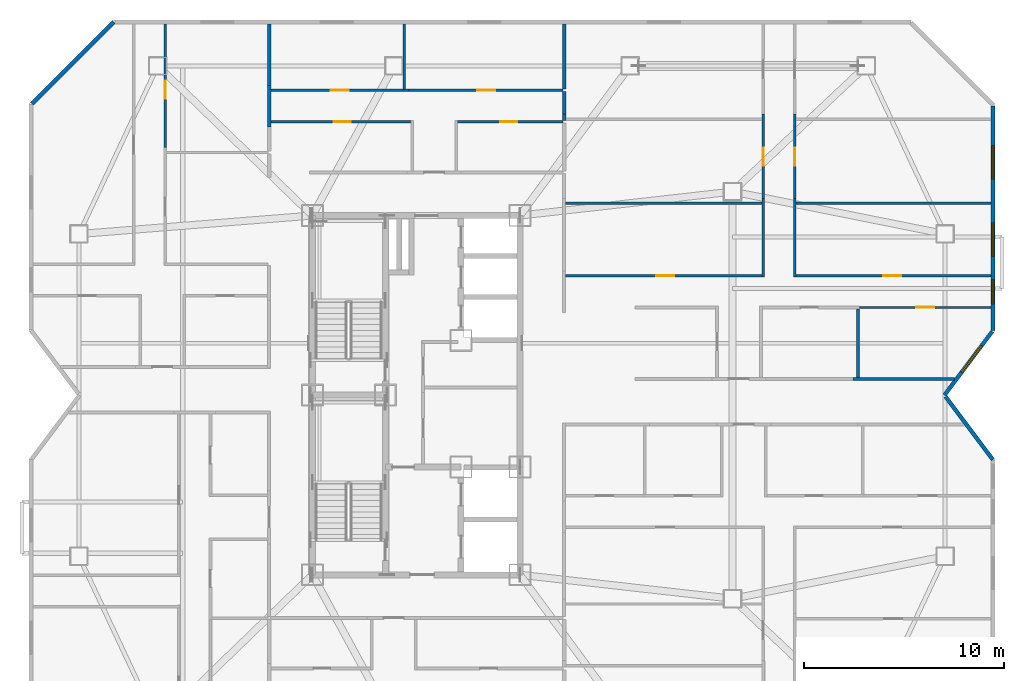
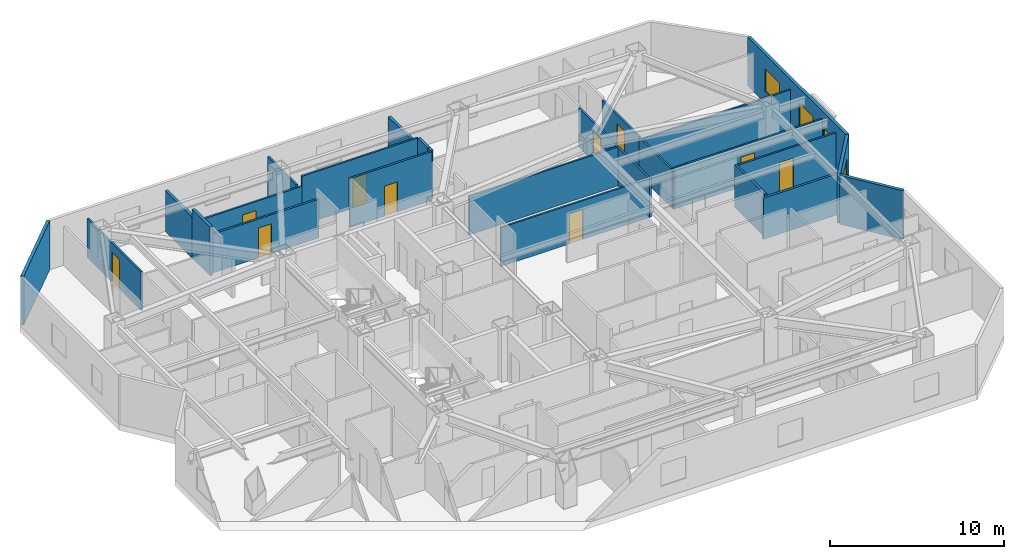
# One storey, part 9 of 11: 26 walls, 10 doors, 4 windows, 14 openings.
"""IFC4 building model written with IfcOpenShell, lengths in metres."""

from ifc_helpers import new_model, si_unit, direction, frame, frame_2d, origin, place, context, subcontext, project, spatial, rectangle, extrude, material, layer, layer_set, type_object, element, fill, save


model = new_model("IFC4")

# Units and contexts
model_context = context("Model", 3, precision=1e-05, world=origin(), true_north=direction((0.0, 1.0)))
body_context = subcontext(model_context, "Body", "Model", "MODEL_VIEW")
ifc_project = project(units=[si_unit("LENGTHUNIT", "METRE"), si_unit("AREAUNIT", "SQUARE_METRE"), si_unit("VOLUMEUNIT", "CUBIC_METRE"), si_unit("PLANEANGLEUNIT", "RADIAN"), si_unit("MASSUNIT", "GRAM", prefix="KILO")], contexts=[model_context])

# Site, building, storey
site_placement = place(None, origin())
site = spatial("IfcSite", under=ifc_project, at=site_placement, CompositionType="ELEMENT")
building_placement = place(site_placement, origin())
building = spatial("IfcBuilding", under=site, at=building_placement, Name="Khamvora Tower", CompositionType="ELEMENT")
storey_placement = place(building_placement, frame((0.0, 0.0, 155.89990234375)))
storey = spatial("IfcBuildingStorey", under=building, at=storey_placement, Name="L39", CompositionType="ELEMENT", Elevation=155.89990234375)

# Walls
ifc_material_1 = material(Name="Fire-Rated Drywall and Steel Stud", Category="steel")
ifc_layer_1 = layer(ifc_material_1, 0.14990234375)
ifc_layer_set_1 = layer_set([ifc_layer_1], Name="Fire-Rated Drywall and Steel Stud")
wall_type_1 = type_object("IfcWallType", Name="WAL-CORR-150", PredefinedType="STANDARD", material=ifc_layer_set_1)
wall_1_placement = place(storey_placement, frame((56.090087890625, 28.81494140625, 0.0), z_axis=(0.0, 0.0, 1.0), x_axis=(1.0, 0.0, 0.0)))
element("IfcWall", 1, at=wall_1_placement, inside=storey, type_object=wall_type_1, Name="L39 interior partition wall 031", PredefinedType="STANDARD", context=body_context, shape_type="SweptSolid", body=[
    extrude(rectangle(XDim=5.091796875, YDim=0.14990234375, at=frame_2d((2.5458984375, 0.0))), origin(), (0.0, 0.0, 1.0), 2.8759765625),
])
ifc_material_2 = material(Name="Acoustic Double-Stud Fire Wall", Category="gypsum")
ifc_layer_2 = layer(ifc_material_2, 0.179931640625)
ifc_layer_set_2 = layer_set([ifc_layer_2], Name="Acoustic Double-Stud Fire Wall")
wall_type_2 = type_object("IfcWallType", Name="WAL-CORR-180", PredefinedType="STANDARD", material=ifc_layer_set_2)
wall_2_placement = place(storey_placement, frame((26.8349609375, 43.52392578125, 0.0), z_axis=(0.0, 0.0, 1.0), x_axis=(0.0, -1.0, 0.0)))
element("IfcWall", 2, at=wall_2_placement, inside=storey, type_object=wall_type_2, Name="L39 interior partition wall 062", PredefinedType="STANDARD", context=body_context, shape_type="SweptSolid", body=[
    extrude(rectangle(XDim=2.077880859375, YDim=0.179931640625, at=frame_2d((1.0390625, 0.0))), origin(), (0.0, 0.0, 1.0), 3.43017578125),
])
wall_3_placement = place(storey_placement, frame((26.8349609375, 46.60791015625, 0.0), z_axis=(0.0, 0.0, 1.0), x_axis=(0.0, -1.0, 0.0)))
element("IfcWall", 3, at=wall_3_placement, inside=storey, type_object=wall_type_2, Name="L39 interior partition wall 064", PredefinedType="STANDARD", context=body_context, shape_type="SweptSolid", body=[
    extrude(rectangle(XDim=3.083984375, YDim=0.179931640625, at=frame_2d((1.5419921875, 0.0))), origin(), (0.0, 0.0, 1.0), 2.8759765625),
])
wall_4_placement = place(storey_placement, frame((41.614990234375, 42.077880859375, 0.0), z_axis=(0.0, 0.0, 1.0), x_axis=(0.0, -1.0, 0.0)))
element("IfcWall", 4, at=wall_4_placement, inside=storey, type_object=wall_type_2, Name="L39 interior partition wall 082", PredefinedType="STANDARD", context=body_context, shape_type="SweptSolid", body=[
    extrude(rectangle(XDim=0.31787109375, YDim=0.179931640625, at=frame_2d((0.158935546875, 0.0))), origin(), (0.0, 0.0, 1.0), 3.43017578125),
])
wall_5_placement = place(storey_placement, frame((41.614990234375, 43.2099609375, 0.0), z_axis=(0.0, 0.0, 1.0), x_axis=(0.0, -1.0, 0.0)))
element("IfcWall", 5, at=wall_5_placement, inside=storey, type_object=wall_type_2, Name="L39 interior partition wall 083", PredefinedType="STANDARD", context=body_context, shape_type="SweptSolid", body=[
    extrude(rectangle(XDim=1.132080078125, YDim=0.179931640625, at=frame_2d((0.56591796875, 0.0))), origin(), (0.0, 0.0, 1.0), 3.43017578125),
])
wall_6_placement = place(storey_placement, frame((41.614990234375, 46.60791015625, 0.0), z_axis=(0.0, 0.0, 1.0), x_axis=(0.0, -1.0, 0.0)))
element("IfcWall", 6, at=wall_6_placement, inside=storey, type_object=wall_type_2, Name="L39 interior partition wall 086", PredefinedType="STANDARD", context=body_context, shape_type="SweptSolid", body=[
    extrude(rectangle(XDim=3.267822265625, YDim=0.179931640625, at=frame_2d((1.6337890625, 0.0))), origin(), (0.0, 0.0, 1.0), 2.8759765625),
])
ifc_material_3 = material(Name="Precast concrete C40/50", Category="concrete")
ifc_layer_3 = layer(ifc_material_3, 0.199951171875)
ifc_layer_set_3 = layer_set([ifc_layer_3], Name="Precast concrete C40/50")
wall_type_3 = type_object("IfcWallType", Name="WAL-EXT-200", PredefinedType="STANDARD", material=ifc_layer_set_3)
wall_7_placement = place(storey_placement, frame((14.945068359375, 42.60400390625, 0.0), z_axis=(0.0, 0.0, 1.0), x_axis=(0.707106781187, 0.707106781187, 0.0)))
element("IfcWall", 7, at=wall_7_placement, inside=storey, type_object=wall_type_3, Name="L39 exterior facade wall 06.1", PredefinedType="STANDARD", context=body_context, shape_type="SweptSolid", body=[
    extrude(rectangle(XDim=5.79248046875, YDim=0.199951171875, at=frame_2d((2.896240234375, 0.0))), origin(), (0.0, 0.0, 1.0), 3.43017578125),
])

# Wall, openings, windows
wall_8_placement = place(storey_placement, frame((63.10009765625, 42.49609375, 0.0), z_axis=(0.0, 0.0, 1.0), x_axis=(0.0, -1.0, 0.0)))
wall_8 = element("IfcWall", 8, at=wall_8_placement, inside=storey, type_object=wall_type_3, Name="L39 exterior facade wall 09.1", PredefinedType="STANDARD", context=body_context, shape_type="SweptSolid", body=[
    extrude(rectangle(XDim=11.26318359375, YDim=0.199951171875, at=frame_2d((5.631591796875, 0.0))), origin(), (0.0, 0.0, 1.0), 3.43017578125),
])
opening_1_placement = place(wall_8_placement, frame((8.7109375, 0.0, 0.800048828125)))
opening_1 = element("IfcOpeningElement", 9, at=opening_1_placement, cuts=wall_8, Name="Opening WN-03", PredefinedType="OPENING", context=body_context, shape_type="SweptSolid", body=[
    extrude(rectangle(XDim=1.199951171875, YDim=1.5, at=frame_2d((0.60009765625, 0.75))), frame((0.0, 0.10986328125, 0.0), z_axis=(0.0, -1.0, 0.0), x_axis=(1.0, 0.0, 0.0)), (0.0, 0.0, 1.0), 0.219970703125),
])
opening_2_placement = place(wall_8_placement, frame((5.876953125, 0.0, 0.85009765625)))
opening_2 = element("IfcOpeningElement", 10, at=opening_2_placement, cuts=wall_8, Name="Opening WN-06", PredefinedType="OPENING", context=body_context, shape_type="SweptSolid", body=[
    extrude(rectangle(XDim=1.64990234375, YDim=1.550048828125, at=frame_2d((0.824951171875, 0.77490234375))), frame((0.0, 0.10986328125, 0.0), z_axis=(0.0, -1.0, 0.0), x_axis=(1.0, 0.0, 0.0)), (0.0, 0.0, 1.0), 0.219970703125),
])
opening_3_placement = place(wall_8_placement, frame((2.009033203125, 0.0, 0.85009765625)))
opening_3 = element("IfcOpeningElement", 11, at=opening_3_placement, cuts=wall_8, Name="Opening WN-06", PredefinedType="OPENING", context=body_context, shape_type="SweptSolid", body=[
    extrude(rectangle(XDim=1.64990234375, YDim=1.550048828125, at=frame_2d((0.824951171875, 0.77490234375))), frame((0.0, 0.10986328125, 0.0), z_axis=(0.0, -1.0, 0.0), x_axis=(1.0, 0.0, 0.0)), (0.0, 0.0, 1.0), 0.219970703125),
])
ifc_material_4 = material(Name="Low-E Laminated Double Glazing", Category="glass")
window_type_1 = type_object("IfcWindowType", Name="WIN-VIS-1200x1500", PartitioningType="SINGLE_PANEL", PredefinedType="WINDOW", material=ifc_material_4)
window_1_placement = place(opening_1_placement, origin())
window_1 = element("IfcWindow", 12, at=window_1_placement, inside=storey, type_object=window_type_1, Name="L39 vision window 09.1.01", OverallHeight=1.5, OverallWidth=1.199951171875, PartitioningType="SINGLE_PANEL", PredefinedType="WINDOW", context=body_context, shape_type="SweptSolid", body=[
    extrude(rectangle(XDim=1.199951171875, YDim=1.5, at=frame_2d((0.60009765625, 0.75))), frame((0.0, 0.030029296875, 0.0), z_axis=(0.0, -1.0, 0.0), x_axis=(1.0, 0.0, 0.0)), (0.0, 0.0, 1.0), 0.06005859375),
])
fill(opening_1, window_1)
window_type_2 = type_object("IfcWindowType", Name="WIN-VIS-1650x1550", PartitioningType="SINGLE_PANEL", PredefinedType="WINDOW", material=ifc_material_4)
window_2_placement = place(opening_2_placement, origin())
window_2 = element("IfcWindow", 13, at=window_2_placement, inside=storey, type_object=window_type_2, Name="L39 vision window 09.1.02", OverallHeight=1.550048828125, OverallWidth=1.64990234375, PartitioningType="SINGLE_PANEL", PredefinedType="WINDOW", context=body_context, shape_type="SweptSolid", body=[
    extrude(rectangle(XDim=1.64990234375, YDim=1.550048828125, at=frame_2d((0.824951171875, 0.77490234375))), frame((0.0, 0.030029296875, 0.0), z_axis=(0.0, -1.0, 0.0), x_axis=(1.0, 0.0, 0.0)), (0.0, 0.0, 1.0), 0.06005859375),
])
fill(opening_2, window_2)
window_3_placement = place(opening_3_placement, origin())
window_3 = element("IfcWindow", 14, at=window_3_placement, inside=storey, type_object=window_type_2, Name="L39 vision window 09.1.03", OverallHeight=1.550048828125, OverallWidth=1.64990234375, PartitioningType="SINGLE_PANEL", PredefinedType="WINDOW", context=body_context, shape_type="SweptSolid", body=[
    extrude(rectangle(XDim=1.64990234375, YDim=1.550048828125, at=frame_2d((0.824951171875, 0.77490234375))), frame((0.0, 0.030029296875, 0.0), z_axis=(0.0, -1.0, 0.0), x_axis=(1.0, 0.0, 0.0)), (0.0, 0.0, 1.0), 0.06005859375),
])
fill(opening_3, window_3)

# Wall, opening, window
wall_9_placement = place(storey_placement, frame((63.069091796875, 31.19091796875, 0.0), z_axis=(0.0, 0.0, 1.0), x_axis=(-0.600137081448, -0.799897170561, 0.0)))
wall_9 = element("IfcWall", 15, at=wall_9_placement, inside=storey, type_object=wall_type_3, Name="L39 exterior facade wall 10.1", PredefinedType="STANDARD", context=body_context, shape_type="SweptSolid", body=[
    extrude(rectangle(XDim=3.9892578125, YDim=0.199951171875, at=frame_2d((1.99462890625, 0.0))), origin(), (0.0, 0.0, 1.0), 3.43017578125),
])
opening_4_placement = place(wall_9_placement, frame((0.90087890625, 0.0, 0.85009765625)))
opening_4 = element("IfcOpeningElement", 16, at=opening_4_placement, cuts=wall_9, Name="Opening WN-06", PredefinedType="OPENING", context=body_context, shape_type="SweptSolid", body=[
    extrude(rectangle(XDim=1.64990234375, YDim=1.550048828125, at=frame_2d((0.824951171875, 0.77490234375))), frame((0.0, 0.10986328125, 0.0), z_axis=(0.0, -1.0, 0.0), x_axis=(1.0, 0.0, 0.0)), (0.0, 0.0, 1.0), 0.219970703125),
])
window_4_placement = place(opening_4_placement, origin())
window_4 = element("IfcWindow", 17, at=window_4_placement, inside=storey, type_object=window_type_2, Name="L39 vision window 10.1.01", OverallHeight=1.550048828125, OverallWidth=1.64990234375, PartitioningType="SINGLE_PANEL", PredefinedType="WINDOW", context=body_context, shape_type="SweptSolid", body=[
    extrude(rectangle(XDim=1.64990234375, YDim=1.550048828125, at=frame_2d((0.824951171875, 0.77490234375))), frame((0.0, 0.030029296875, 0.0), z_axis=(0.0, -1.0, 0.0), x_axis=(1.0, 0.0, 0.0)), (0.0, 0.0, 1.0), 0.06005859375),
])
fill(opening_4, window_4)

# Wall
wall_10_placement = place(storey_placement, frame((60.72705078125, 27.930908203125, 0.0), z_axis=(0.0, 0.0, 1.0), x_axis=(0.600029630681, -0.799977776132, 0.0)))
element("IfcWall", 18, at=wall_10_placement, inside=storey, type_object=wall_type_3, Name="L39 exterior facade wall 11.1", PredefinedType="STANDARD", context=body_context, shape_type="SweptSolid", body=[
    extrude(rectangle(XDim=3.954833984375, YDim=0.199951171875, at=frame_2d((1.9775390625, 0.0))), origin(), (0.0, 0.0, 1.0), 3.43017578125),
])

# Wall, opening, door
ifc_material_5 = material(Name="Gypsum Plasterboard Partition", Category="gypsum")
ifc_layer_4 = layer(ifc_material_5, 0.1201171875)
ifc_layer_set_4 = layer_set([ifc_layer_4], Name="Gypsum Plasterboard Partition")
wall_type_4 = type_object("IfcWallType", Name="WAL-PART-120", PredefinedType="PARTITIONING", material=ifc_layer_set_4)
wall_11_placement = place(storey_placement, frame((21.625, 46.60791015625, 0.0), z_axis=(0.0, 0.0, 1.0), x_axis=(0.0, -1.0, 0.0)))
wall_11 = element("IfcWall", 19, at=wall_11_placement, inside=storey, type_object=wall_type_4, Name="L39 interior partition wall 059", PredefinedType="PARTITIONING", context=body_context, shape_type="SweptSolid", body=[
    extrude(rectangle(XDim=6.198974609375, YDim=0.1201171875, at=frame_2d((3.099609375, 0.0))), origin(), (0.0, 0.0, 1.0), 2.72509765625),
])
opening_5_placement = place(wall_11_placement, frame((2.847900390625, 0.0, 0.0)))
opening_5 = element("IfcOpeningElement", 20, at=opening_5_placement, cuts=wall_11, Name="Opening D-RM1", PredefinedType="OPENING", context=body_context, shape_type="SweptSolid", body=[
    extrude(rectangle(XDim=0.89990234375, YDim=2.10009765625, at=frame_2d((0.449951171875, 1.050048828125))), frame((0.0, 0.070068359375, 0.0), z_axis=(0.0, -1.0, 0.0), x_axis=(1.0, 0.0, 0.0)), (0.0, 0.0, 1.0), 0.14013671875),
])
ifc_material_6 = material(Name="Powder-Coated Steel and Hardwood Leaf", Category="steel")
door_type_1 = type_object("IfcDoorType", Name="DOR-ROOM-900", OperationType="NOTDEFINED", PredefinedType="DOOR", material=ifc_material_6)
door_1_placement = place(opening_5_placement, origin())
door_1 = element("IfcDoor", 21, at=door_1_placement, inside=storey, type_object=door_type_1, Name="L39 interior door 39WBH-39WBR3", OperationType="SINGLE_SWING_RIGHT", OverallHeight=2.10009765625, OverallWidth=0.89990234375, PredefinedType="DOOR", context=body_context, shape_type="SweptSolid", body=[
    extrude(rectangle(XDim=0.89990234375, YDim=2.10009765625, at=frame_2d((0.449951171875, 1.050048828125))), frame((0.0, 0.02490234375, 0.0), z_axis=(0.0, -1.0, 0.0), x_axis=(1.0, 0.0, 0.0)), (0.0, 0.0, 1.0), 0.050048828125),
])
fill(opening_5, door_1)

wall_12_placement = place(storey_placement, frame((26.9169921875, 43.27490234375, 0.0), z_axis=(0.0, 0.0, 1.0), x_axis=(1.0, 0.0, 0.0)))
wall_12 = element("IfcWall", 22, at=wall_12_placement, inside=storey, type_object=wall_type_4, Name="L39 interior partition wall 080", PredefinedType="PARTITIONING", context=body_context, shape_type="SweptSolid", body=[
    extrude(rectangle(XDim=6.930908203125, YDim=0.1201171875, at=frame_2d((3.46533203125, 0.0))), origin(), (0.0, 0.0, 1.0), 2.72509765625),
])
opening_6_placement = place(wall_12_placement, frame((2.993896484375, 0.0, 0.0)))
opening_6 = element("IfcOpeningElement", 23, at=opening_6_placement, cuts=wall_12, Name="Opening D-RM1", PredefinedType="OPENING", context=body_context, shape_type="SweptSolid", body=[
    extrude(rectangle(XDim=0.89990234375, YDim=2.10009765625, at=frame_2d((0.449951171875, 1.050048828125))), frame((0.0, 0.070068359375, 0.0), z_axis=(0.0, -1.0, 0.0), x_axis=(1.0, 0.0, 0.0)), (0.0, 0.0, 1.0), 0.14013671875),
])
door_2_placement = place(opening_6_placement, origin())
door_2 = element("IfcDoor", 24, at=door_2_placement, inside=storey, type_object=door_type_1, Name="L39 interior door 39NAH-39NAL", OperationType="SINGLE_SWING_RIGHT", OverallHeight=2.10009765625, OverallWidth=0.89990234375, PredefinedType="DOOR", context=body_context, shape_type="SweptSolid", body=[
    extrude(rectangle(XDim=0.89990234375, YDim=2.10009765625, at=frame_2d((0.449951171875, 1.050048828125))), frame((0.0, 0.02490234375, 0.0), z_axis=(0.0, -1.0, 0.0), x_axis=(1.0, 0.0, 0.0)), (0.0, 0.0, 1.0), 0.050048828125),
])
fill(opening_6, door_2)

wall_13_placement = place(storey_placement, frame((33.847900390625, 43.27490234375, 0.0), z_axis=(0.0, 0.0, 1.0), x_axis=(1.0, 0.0, 0.0)))
wall_13 = element("IfcWall", 25, at=wall_13_placement, inside=storey, type_object=wall_type_4, Name="L39 interior partition wall 081", PredefinedType="PARTITIONING", context=body_context, shape_type="SweptSolid", body=[
    extrude(rectangle(XDim=7.7021484375, YDim=0.1201171875, at=frame_2d((3.85107421875, 0.0))), origin(), (0.0, 0.0, 1.0), 3.43017578125),
])
opening_7_placement = place(wall_13_placement, frame((3.40087890625, 0.0, 0.0)))
opening_7 = element("IfcOpeningElement", 26, at=opening_7_placement, cuts=wall_13, Name="Opening D-RM1", PredefinedType="OPENING", context=body_context, shape_type="SweptSolid", body=[
    extrude(rectangle(XDim=0.89990234375, YDim=2.10009765625, at=frame_2d((0.449951171875, 1.050048828125))), frame((0.0, 0.070068359375, 0.0), z_axis=(0.0, -1.0, 0.0), x_axis=(1.0, 0.0, 0.0)), (0.0, 0.0, 1.0), 0.14013671875),
])
door_3_placement = place(opening_7_placement, origin())
door_3 = element("IfcDoor", 27, at=door_3_placement, inside=storey, type_object=door_type_1, Name="L39 interior door 39NAH-39NAR2", OperationType="SINGLE_SWING_LEFT", OverallHeight=2.10009765625, OverallWidth=0.89990234375, PredefinedType="DOOR", context=body_context, shape_type="SweptSolid", body=[
    extrude(rectangle(XDim=0.89990234375, YDim=2.10009765625, at=frame_2d((0.449951171875, 1.050048828125))), frame((0.0, 0.02490234375, 0.0), z_axis=(0.0, -1.0, 0.0), x_axis=(1.0, 0.0, 0.0)), (0.0, 0.0, 1.0), 0.050048828125),
])
fill(opening_7, door_3)

# Wall
wall_14_placement = place(storey_placement, frame((33.59912109375, 46.60791015625, 0.0), z_axis=(0.0, 0.0, 1.0), x_axis=(0.0, -1.0, 0.0)))
element("IfcWall", 28, at=wall_14_placement, inside=storey, type_object=wall_type_4, Name="L39 interior partition wall 085", PredefinedType="PARTITIONING", context=body_context, shape_type="SweptSolid", body=[
    extrude(rectangle(XDim=3.27880859375, YDim=0.1201171875, at=frame_2d((1.639404296875, 0.0))), origin(), (0.0, 0.0, 1.0), 2.8759765625),
])

# Wall, opening, door
wall_15_placement = place(storey_placement, frame((56.404052734375, 32.39501953125, 0.0), z_axis=(0.0, 0.0, 1.0), x_axis=(1.0, 0.0, 0.0)))
wall_15 = element("IfcWall", 29, at=wall_15_placement, inside=storey, type_object=wall_type_4, Name="L39 interior partition wall 105", PredefinedType="PARTITIONING", context=body_context, shape_type="SweptSolid", body=[
    extrude(rectangle(XDim=6.60400390625, YDim=0.1201171875, at=frame_2d((3.302001953125, 0.0))), origin(), (0.0, 0.0, 1.0), 2.8759765625),
])
opening_8_placement = place(wall_15_placement, frame((2.85205078125, 0.0, 0.0)))
opening_8 = element("IfcOpeningElement", 30, at=opening_8_placement, cuts=wall_15, Name="Opening D-RM1", PredefinedType="OPENING", context=body_context, shape_type="SweptSolid", body=[
    extrude(rectangle(XDim=0.89990234375, YDim=2.10009765625, at=frame_2d((0.449951171875, 1.050048828125))), frame((0.0, 0.070068359375, 0.0), z_axis=(0.0, -1.0, 0.0), x_axis=(1.0, 0.0, 0.0)), (0.0, 0.0, 1.0), 0.14013671875),
])
door_4_placement = place(opening_8_placement, origin())
door_4 = element("IfcDoor", 31, at=door_4_placement, inside=storey, type_object=door_type_1, Name="L39 interior door 39EBW2-39EBH", OperationType="SINGLE_SWING_RIGHT", OverallHeight=2.10009765625, OverallWidth=0.89990234375, PredefinedType="DOOR", context=body_context, shape_type="SweptSolid", body=[
    extrude(rectangle(XDim=0.89990234375, YDim=2.10009765625, at=frame_2d((0.449951171875, 1.050048828125))), frame((0.0, 0.02490234375, 0.0), z_axis=(0.0, -1.0, 0.0), x_axis=(1.0, 0.0, 0.0)), (0.0, 0.0, 1.0), 0.050048828125),
])
fill(opening_8, door_4)

wall_16_placement = place(storey_placement, frame((41.681884765625, 33.97509765625, 0.0), z_axis=(0.0, 0.0, 1.0), x_axis=(1.0, 0.0, 0.0)))
wall_16 = element("IfcWall", 32, at=wall_16_placement, inside=storey, type_object=wall_type_4, Name="L39 interior partition wall 111", PredefinedType="PARTITIONING", context=body_context, shape_type="SweptSolid", body=[
    extrude(rectangle(XDim=9.983154296875, YDim=0.1201171875, at=frame_2d((4.99169921875, 0.0))), origin(), (0.0, 0.0, 1.0), 2.72509765625),
])
opening_9_placement = place(wall_16_placement, frame((4.5419921875, 0.0, 0.0)))
opening_9 = element("IfcOpeningElement", 33, at=opening_9_placement, cuts=wall_16, Name="Opening D-RM1", PredefinedType="OPENING", context=body_context, shape_type="SweptSolid", body=[
    extrude(rectangle(XDim=0.89990234375, YDim=2.10009765625, at=frame_2d((0.449951171875, 1.050048828125))), frame((0.0, 0.070068359375, 0.0), z_axis=(0.0, -1.0, 0.0), x_axis=(1.0, 0.0, 0.0)), (0.0, 0.0, 1.0), 0.14013671875),
])
door_5_placement = place(opening_9_placement, origin())
door_5 = element("IfcDoor", 34, at=door_5_placement, inside=storey, type_object=door_type_1, Name="L39 interior door 39EBH-39EBR1", OperationType="SINGLE_SWING_LEFT", OverallHeight=2.10009765625, OverallWidth=0.89990234375, PredefinedType="DOOR", context=body_context, shape_type="SweptSolid", body=[
    extrude(rectangle(XDim=0.89990234375, YDim=2.10009765625, at=frame_2d((0.449951171875, 1.050048828125))), frame((0.0, 0.02490234375, 0.0), z_axis=(0.0, -1.0, 0.0), x_axis=(1.0, 0.0, 0.0)), (0.0, 0.0, 1.0), 0.050048828125),
])
fill(opening_9, door_5)

# Wall
wall_17_placement = place(storey_placement, frame((51.60009765625, 33.909912109375, 0.0), z_axis=(0.0, 0.0, 1.0), x_axis=(0.0, 1.0, 0.0)))
element("IfcWall", 35, at=wall_17_placement, inside=storey, type_object=wall_type_4, Name="L39 interior partition wall 112", PredefinedType="PARTITIONING", context=body_context, shape_type="SweptSolid", body=[
    extrude(rectangle(XDim=3.9521484375, YDim=0.1201171875, at=frame_2d((1.97607421875, 0.0))), origin(), (0.0, 0.0, 1.0), 2.68701171875),
])

# Wall, opening, door
wall_18_placement = place(storey_placement, frame((51.60009765625, 37.862060546875, 0.0), z_axis=(0.0, 0.0, 1.0), x_axis=(0.0, 1.0, 0.0)))
wall_18 = element("IfcWall", 36, at=wall_18_placement, inside=storey, type_object=wall_type_4, Name="L39 interior partition wall 113", PredefinedType="PARTITIONING", context=body_context, shape_type="SweptSolid", body=[
    extrude(rectangle(XDim=4.2158203125, YDim=0.1201171875, at=frame_2d((2.10791015625, 0.0))), origin(), (0.0, 0.0, 1.0), 2.72509765625),
])
opening_10_placement = place(wall_18_placement, frame((1.636962890625, 0.0, 0.0)))
opening_10 = element("IfcOpeningElement", 37, at=opening_10_placement, cuts=wall_18, Name="Opening D-RM1", PredefinedType="OPENING", context=body_context, shape_type="SweptSolid", body=[
    extrude(rectangle(XDim=0.89990234375, YDim=2.10009765625, at=frame_2d((0.449951171875, 1.050048828125))), frame((0.0, 0.070068359375, 0.0), z_axis=(0.0, -1.0, 0.0), x_axis=(1.0, 0.0, 0.0)), (0.0, 0.0, 1.0), 0.14013671875),
])
door_6_placement = place(opening_10_placement, origin())
door_6 = element("IfcDoor", 38, at=door_6_placement, inside=storey, type_object=door_type_1, Name="L39 interior door 39EBH-39EBR2", OperationType="SINGLE_SWING_RIGHT", OverallHeight=2.10009765625, OverallWidth=0.89990234375, PredefinedType="DOOR", context=body_context, shape_type="SweptSolid", body=[
    extrude(rectangle(XDim=0.89990234375, YDim=2.10009765625, at=frame_2d((0.449951171875, 1.050048828125))), frame((0.0, 0.02490234375, 0.0), z_axis=(0.0, -1.0, 0.0), x_axis=(1.0, 0.0, 0.0)), (0.0, 0.0, 1.0), 0.050048828125),
])
fill(opening_10, door_6)

# Wall
wall_19_placement = place(storey_placement, frame((53.169921875, 37.862060546875, 0.0), z_axis=(0.0, 0.0, 1.0), x_axis=(0.0, -1.0, 0.0)))
element("IfcWall", 39, at=wall_19_placement, inside=storey, type_object=wall_type_4, Name="L39 interior partition wall 115", PredefinedType="PARTITIONING", context=body_context, shape_type="SweptSolid", body=[
    extrude(rectangle(XDim=3.9521484375, YDim=0.1201171875, at=frame_2d((1.97607421875, 0.0))), origin(), (0.0, 0.0, 1.0), 2.68701171875),
])

# Wall, opening, door
wall_20_placement = place(storey_placement, frame((53.10498046875, 33.97509765625, 0.0), z_axis=(0.0, 0.0, 1.0), x_axis=(1.0, 0.0, 0.0)))
wall_20 = element("IfcWall", 40, at=wall_20_placement, inside=storey, type_object=wall_type_4, Name="L39 interior partition wall 116", PredefinedType="PARTITIONING", context=body_context, shape_type="SweptSolid", body=[
    extrude(rectangle(XDim=9.903076171875, YDim=0.1201171875, at=frame_2d((4.95166015625, 0.0))), origin(), (0.0, 0.0, 1.0), 2.8759765625),
])
opening_11_placement = place(wall_20_placement, frame((4.501953125, 0.0, 0.0)))
opening_11 = element("IfcOpeningElement", 41, at=opening_11_placement, cuts=wall_20, Name="Opening D-RM1", PredefinedType="OPENING", context=body_context, shape_type="SweptSolid", body=[
    extrude(rectangle(XDim=0.89990234375, YDim=2.10009765625, at=frame_2d((0.449951171875, 1.050048828125))), frame((0.0, 0.070068359375, 0.0), z_axis=(0.0, -1.0, 0.0), x_axis=(1.0, 0.0, 0.0)), (0.0, 0.0, 1.0), 0.14013671875),
])
door_7_placement = place(opening_11_placement, origin())
door_7 = element("IfcDoor", 42, at=door_7_placement, inside=storey, type_object=door_type_1, Name="L39 interior door 39EBH-39EBR4", OperationType="SINGLE_SWING_RIGHT", OverallHeight=2.10009765625, OverallWidth=0.89990234375, PredefinedType="DOOR", context=body_context, shape_type="SweptSolid", body=[
    extrude(rectangle(XDim=0.89990234375, YDim=2.10009765625, at=frame_2d((0.449951171875, 1.050048828125))), frame((0.0, 0.02490234375, 0.0), z_axis=(0.0, -1.0, 0.0), x_axis=(1.0, 0.0, 0.0)), (0.0, 0.0, 1.0), 0.050048828125),
])
fill(opening_11, door_7)

wall_21_placement = place(storey_placement, frame((53.169921875, 42.077880859375, 0.0), z_axis=(0.0, 0.0, 1.0), x_axis=(0.0, -1.0, 0.0)))
wall_21 = element("IfcWall", 43, at=wall_21_placement, inside=storey, type_object=wall_type_4, Name="L39 interior partition wall 117", PredefinedType="PARTITIONING", context=body_context, shape_type="SweptSolid", body=[
    extrude(rectangle(XDim=4.2158203125, YDim=0.1201171875, at=frame_2d((2.10791015625, 0.0))), origin(), (0.0, 0.0, 1.0), 2.72509765625),
])
opening_12_placement = place(wall_21_placement, frame((1.678955078125, 0.0, 0.0)))
opening_12 = element("IfcOpeningElement", 44, at=opening_12_placement, cuts=wall_21, Name="Opening D-RM1", PredefinedType="OPENING", context=body_context, shape_type="SweptSolid", body=[
    extrude(rectangle(XDim=0.89990234375, YDim=2.10009765625, at=frame_2d((0.449951171875, 1.050048828125))), frame((0.0, 0.070068359375, 0.0), z_axis=(0.0, -1.0, 0.0), x_axis=(1.0, 0.0, 0.0)), (0.0, 0.0, 1.0), 0.14013671875),
])
door_8_placement = place(opening_12_placement, origin())
door_8 = element("IfcDoor", 45, at=door_8_placement, inside=storey, type_object=door_type_1, Name="L39 interior door 39EBH-39EBR5", OperationType="SINGLE_SWING_LEFT", OverallHeight=2.10009765625, OverallWidth=0.89990234375, PredefinedType="DOOR", context=body_context, shape_type="SweptSolid", body=[
    extrude(rectangle(XDim=0.89990234375, YDim=2.10009765625, at=frame_2d((0.449951171875, 1.050048828125))), frame((0.0, 0.02490234375, 0.0), z_axis=(0.0, -1.0, 0.0), x_axis=(1.0, 0.0, 0.0)), (0.0, 0.0, 1.0), 0.050048828125),
])
fill(opening_12, door_8)

# Walls
wall_22_placement = place(storey_placement, frame((41.681884765625, 37.612060546875, 0.0), z_axis=(0.0, 0.0, 1.0), x_axis=(1.0, 0.0, 0.0)))
element("IfcWall", 46, at=wall_22_placement, inside=storey, type_object=wall_type_4, Name="L39 interior partition wall 119", PredefinedType="PARTITIONING", context=body_context, shape_type="SweptSolid", body=[
    extrude(rectangle(XDim=9.864013671875, YDim=0.1201171875, at=frame_2d((4.93212890625, 0.0))), origin(), (0.0, 0.0, 1.0), 2.72509765625),
])
wall_23_placement = place(storey_placement, frame((53.22412109375, 37.612060546875, 0.0), z_axis=(0.0, 0.0, 1.0), x_axis=(1.0, 0.0, 0.0)))
element("IfcWall", 47, at=wall_23_placement, inside=storey, type_object=wall_type_4, Name="L39 interior partition wall 121", PredefinedType="PARTITIONING", context=body_context, shape_type="SweptSolid", body=[
    extrude(rectangle(XDim=9.783935546875, YDim=0.1201171875, at=frame_2d((4.89208984375, 0.0))), origin(), (0.0, 0.0, 1.0), 2.72509765625),
])

# Wall, opening, door
ifc_material_7 = material(Name="Moisture-Resistant Plasterboard Partition", Category="gypsum")
ifc_layer_5 = layer(ifc_material_7, 0.135009765625)
ifc_layer_set_5 = layer_set([ifc_layer_5], Name="Moisture-Resistant Plasterboard Partition")
wall_type_5 = type_object("IfcWallType", Name="WAL-WET-135", PredefinedType="PARTITIONING", material=ifc_layer_set_5)
wall_24_placement = place(storey_placement, frame((41.550048828125, 41.695068359375, 0.0), z_axis=(0.0, 0.0, 1.0), x_axis=(-1.0, 0.0, 0.0)))
wall_24 = element("IfcWall", 48, at=wall_24_placement, inside=storey, type_object=wall_type_5, Name="L39 interior partition wall 076", PredefinedType="PARTITIONING", context=body_context, shape_type="SweptSolid", body=[
    extrude(rectangle(XDim=5.416015625, YDim=0.135009765625, at=frame_2d((2.7080078125, 0.0))), origin(), (0.0, 0.0, 1.0), 3.43017578125),
])
opening_13_placement = place(wall_24_placement, frame((2.282958984375, 0.0, 0.0)))
opening_13 = element("IfcOpeningElement", 49, at=opening_13_placement, cuts=wall_24, Name="Opening D-WC1", PredefinedType="OPENING", context=body_context, shape_type="SweptSolid", body=[
    extrude(rectangle(XDim=0.85009765625, YDim=2.10009765625, at=frame_2d((0.425048828125, 1.050048828125))), frame((0.0, 0.077392578125, 0.0), z_axis=(0.0, -1.0, 0.0), x_axis=(1.0, 0.0, 0.0)), (0.0, 0.0, 1.0), 0.155029296875),
])
door_type_2 = type_object("IfcDoorType", Name="DOR-WET-850", OperationType="NOTDEFINED", PredefinedType="DOOR", material=ifc_material_6)
door_9_placement = place(opening_13_placement, origin())
door_9 = element("IfcDoor", 50, at=door_9_placement, inside=storey, type_object=door_type_2, Name="L39 interior door 39NAH-39NAB", OperationType="SINGLE_SWING_RIGHT", OverallHeight=2.10009765625, OverallWidth=0.85009765625, PredefinedType="DOOR", context=body_context, shape_type="SweptSolid", body=[
    extrude(rectangle(XDim=0.85009765625, YDim=2.10009765625, at=frame_2d((0.425048828125, 1.050048828125))), frame((0.0, 0.02490234375, 0.0), z_axis=(0.0, -1.0, 0.0), x_axis=(1.0, 0.0, 0.0)), (0.0, 0.0, 1.0), 0.050048828125),
])
fill(opening_13, door_9)

wall_25_placement = place(storey_placement, frame((34.06396484375, 41.695068359375, 0.0), z_axis=(0.0, 0.0, 1.0), x_axis=(-1.0, 0.0, 0.0)))
wall_25 = element("IfcWall", 51, at=wall_25_placement, inside=storey, type_object=wall_type_5, Name="L39 interior partition wall 079", PredefinedType="PARTITIONING", context=body_context, shape_type="SweptSolid", body=[
    extrude(rectangle(XDim=7.14697265625, YDim=0.135009765625, at=frame_2d((3.573486328125, 0.0))), origin(), (0.0, 0.0, 1.0), 2.72509765625),
])
opening_14_placement = place(wall_25_placement, frame((3.14892578125, 0.0, 0.0)))
opening_14 = element("IfcOpeningElement", 52, at=opening_14_placement, cuts=wall_25, Name="Opening D-RM2", PredefinedType="OPENING", context=body_context, shape_type="SweptSolid", body=[
    extrude(rectangle(XDim=0.85009765625, YDim=2.10009765625, at=frame_2d((0.425048828125, 1.050048828125))), frame((0.0, 0.077392578125, 0.0), z_axis=(0.0, -1.0, 0.0), x_axis=(1.0, 0.0, 0.0)), (0.0, 0.0, 1.0), 0.155029296875),
])
door_type_3 = type_object("IfcDoorType", Name="DOR-ROOM-850", OperationType="NOTDEFINED", PredefinedType="DOOR", material=ifc_material_6)
door_10_placement = place(opening_14_placement, origin())
door_10 = element("IfcDoor", 53, at=door_10_placement, inside=storey, type_object=door_type_3, Name="L39 interior door 39NAH-39NAK", OperationType="SINGLE_SWING_LEFT", OverallHeight=2.10009765625, OverallWidth=0.85009765625, PredefinedType="DOOR", context=body_context, shape_type="SweptSolid", body=[
    extrude(rectangle(XDim=0.85009765625, YDim=2.10009765625, at=frame_2d((0.425048828125, 1.050048828125))), frame((0.0, 0.02490234375, 0.0), z_axis=(0.0, -1.0, 0.0), x_axis=(1.0, 0.0, 0.0)), (0.0, 0.0, 1.0), 0.050048828125),
])
fill(opening_14, door_10)

# Wall
wall_26_placement = place(storey_placement, frame((56.339111328125, 28.882080078125, 0.0), z_axis=(0.0, 0.0, 1.0), x_axis=(0.0, 1.0, 0.0)))
element("IfcWall", 54, at=wall_26_placement, inside=storey, type_object=wall_type_5, Name="L39 interior partition wall 106", PredefinedType="PARTITIONING", context=body_context, shape_type="SweptSolid", body=[
    extrude(rectangle(XDim=3.447998046875, YDim=0.135009765625, at=frame_2d((1.72412109375, 0.0))), origin(), (0.0, 0.0, 1.0), 3.01318359375),
])

save(model, "model.ifc")
